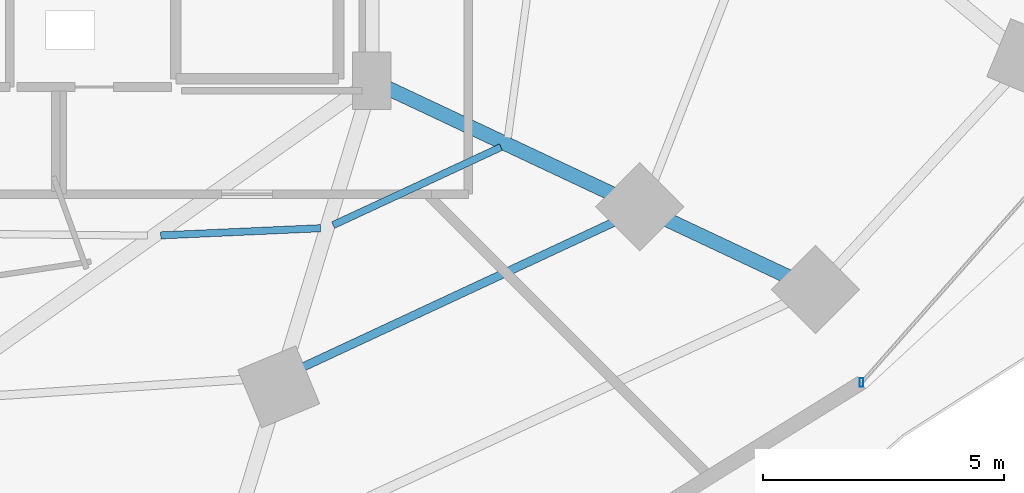
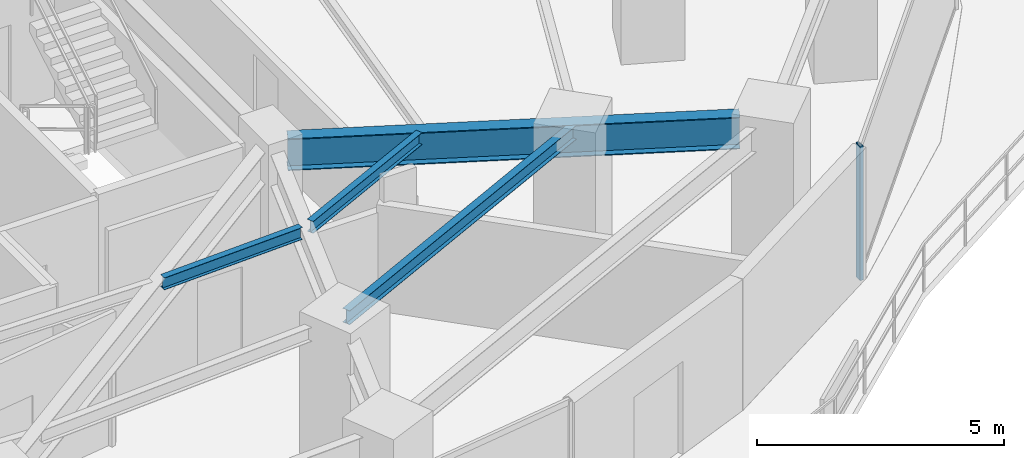
# One storey, part 13 of 34: 4 beams, 1 member, 1 element without a shape of its own.
"""IFC4 building model written with IfcOpenShell, lengths in metres."""

from ifc_helpers import new_model, si_unit, direction, frame, origin, origin_2d, place, context, subcontext, project, spatial, hollow_rectangle, i_section, extrude, material, material_profile, profile_set, type_object, element, aggregate, save


model = new_model("IFC4")

# Units and contexts
model_context = context("Model", 3, precision=1e-05, world=origin(), true_north=direction((0.0, 1.0)))
body_context = subcontext(model_context, "Body", "Model", "MODEL_VIEW")
ifc_project = project(units=[si_unit("LENGTHUNIT", "METRE"), si_unit("AREAUNIT", "SQUARE_METRE"), si_unit("VOLUMEUNIT", "CUBIC_METRE"), si_unit("PLANEANGLEUNIT", "RADIAN"), si_unit("MASSUNIT", "GRAM", prefix="KILO")], contexts=[model_context])

# Site, building, storey
site_placement = place(None, origin())
site = spatial("IfcSite", under=ifc_project, at=site_placement, CompositionType="ELEMENT")
building_placement = place(site_placement, origin())
building = spatial("IfcBuilding", under=site, at=building_placement, Name="Vorneva Point Tower", CompositionType="ELEMENT")
storey_placement = place(building_placement, frame((0.0, 0.0, 27.5)))
storey = spatial("IfcBuildingStorey", under=building, at=storey_placement, Name="L06", CompositionType="ELEMENT", Elevation=27.5)

# Beams
ifc_material_1 = material(Name="Steel S355", Category="steel")
ifc_material_profile_1 = material_profile(ifc_material_1, i_section(OverallWidth=0.300048828125, OverallDepth=0.7880859375, WebThickness=0.014404296875, FlangeThickness=0.02197265625, at=origin_2d()), Name="80Sh1")
ifc_profile_set_1 = profile_set([ifc_material_profile_1], Name="Steel S355")
beam_type_1 = type_object("IfcBeamType", Name="BM-GRD-80Sh1", PredefinedType="USERDEFINED", material=ifc_profile_set_1)
beam_1_placement = place(storey_placement, frame((57.361572265625, 12.39599609375, 2.845947265625), z_axis=(-0.904758409006, 0.425925135831, 0.0), x_axis=(-0.425925135831, -0.904758409006, 0.0)))
element("IfcBeam", 1, at=beam_1_placement, inside=storey, type_object=beam_type_1, Name="L06 Radial Primary Girder 15", ObjectType="GIRDER", PredefinedType="USERDEFINED", context=body_context, shape_type="SweptSolid", body=[
    extrude(i_section(OverallWidth=0.300048828125, OverallDepth=0.7880859375, WebThickness=0.014404296875, FlangeThickness=0.02197265625, at=origin_2d()), origin(), (0.0, 0.0, 1.0), 9.177978515625),
])
ifc_material_profile_2 = material_profile(ifc_material_1, i_section(OverallWidth=0.14892578125, OverallDepth=0.298095703125, WebThickness=0.005615234375, FlangeThickness=0.008056640625, at=origin_2d()), Name="30B1")
ifc_profile_set_2 = profile_set([ifc_material_profile_2], Name="Steel S355")
beam_type_2 = type_object("IfcBeamType", Name="BM-JST-30B1", PredefinedType="JOIST", material=ifc_profile_set_2)
beam_2_placement = place(storey_placement, frame((44.376953125, 13.24609375, 3.091064453125), z_axis=(0.998991219532, 0.044905938345, 0.0), x_axis=(-0.044905938345, 0.998991219532, 0.0)))
element("IfcBeam", 2, at=beam_2_placement, inside=storey, type_object=beam_type_2, Name="L06 Secondary Floor Beam 2.13", PredefinedType="JOIST", context=body_context, shape_type="SweptSolid", body=[
    extrude(i_section(OverallWidth=0.14892578125, OverallDepth=0.298095703125, WebThickness=0.005615234375, FlangeThickness=0.008056640625, at=origin_2d()), origin(), (0.0, 0.0, 1.0), 3.31103515625),
])
beam_3_placement = place(storey_placement, frame((47.947509765625, 13.458984375, 3.091064453125), z_axis=(0.906875117786, 0.421399478808, 0.0), x_axis=(-0.421399478808, 0.906875117786, 0.0)))
element("IfcBeam", 3, at=beam_3_placement, inside=storey, type_object=beam_type_2, Name="L06 Secondary Floor Beam 2.14", PredefinedType="JOIST", context=body_context, shape_type="SweptSolid", body=[
    extrude(i_section(OverallWidth=0.14892578125, OverallDepth=0.298095703125, WebThickness=0.005615234375, FlangeThickness=0.008056640625, at=origin_2d()), origin(), (0.0, 0.0, 1.0), 3.8330078125),
])
ifc_material_profile_3 = material_profile(ifc_material_1, i_section(OverallWidth=0.174072265625, OverallDepth=0.345947265625, WebThickness=0.006103515625, FlangeThickness=0.009033203125, at=origin_2d()), Name="35B1")
ifc_profile_set_3 = profile_set([ifc_material_profile_3], Name="Steel S355")
beam_type_3 = type_object("IfcBeamType", Name="BM-SEC-35B1", PredefinedType="BEAM", material=ifc_profile_set_3)
beam_4_placement = place(storey_placement, frame((47.00830078125, 10.372314453125, 3.06689453125), z_axis=(0.906436807177, 0.422341466818, 0.0), x_axis=(-0.422341466818, 0.906436807177, 0.0)))
element("IfcBeam", 4, at=beam_4_placement, inside=storey, type_object=beam_type_3, Name="L06 Secondary Floor Beam 1.14", PredefinedType="BEAM", context=body_context, shape_type="SweptSolid", body=[
    extrude(i_section(OverallWidth=0.174072265625, OverallDepth=0.345947265625, WebThickness=0.006103515625, FlangeThickness=0.009033203125, at=origin_2d()), origin(), (0.0, 0.0, 1.0), 7.98583984375),
])

# Curtain wall, member
ifc_material_2 = material(Name="Pale anodised aluminium", Category="aluminium")
curtain_wall_type = type_object("IfcCurtainWallType", Name="CW-HTL-SYS", PredefinedType="NOTDEFINED", material=ifc_material_2)
curtain_wall_placement = place(storey_placement, origin())
curtain_wall = element("IfcCurtainWall", 5, at=curtain_wall_placement, inside=storey, type_object=curtain_wall_type, Name="L06 Unitised Curtain Wall CW-L06-R01", PredefinedType="NOTDEFINED")
ifc_material_profile_4 = material_profile(ifc_material_2, hollow_rectangle(XDim=0.074951171875, YDim=0.179931640625, WallThickness=0.00390625, at=origin_2d()), Name="AL-MUL 180x75x4")
ifc_profile_set_4 = profile_set([ifc_material_profile_4], Name="Pale anodised aluminium")
member_type = type_object("IfcMemberType", Name="CW-MUL-180", PredefinedType="MULLION", material=ifc_profile_set_4)
member_placement = place(storey_placement, frame((58.89501953125, 10.1962890625, -0.0400390625), z_axis=(0.0, 0.0, 1.0), x_axis=(1.0, 0.0, 0.0)))
member = element("IfcMember", 6, at=member_placement, type_object=member_type, Name="CW-L06-R01 Mullion 01", PredefinedType="MULLION", context=body_context, shape_type="SweptSolid", body=[
    extrude(hollow_rectangle(XDim=0.074951171875, YDim=0.179931640625, WallThickness=0.00390625, at=origin_2d()), origin(), (0.0, 0.0, 1.0), 3.31005859375),
])
aggregate(curtain_wall, [member])

save(model, "model.ifc")
